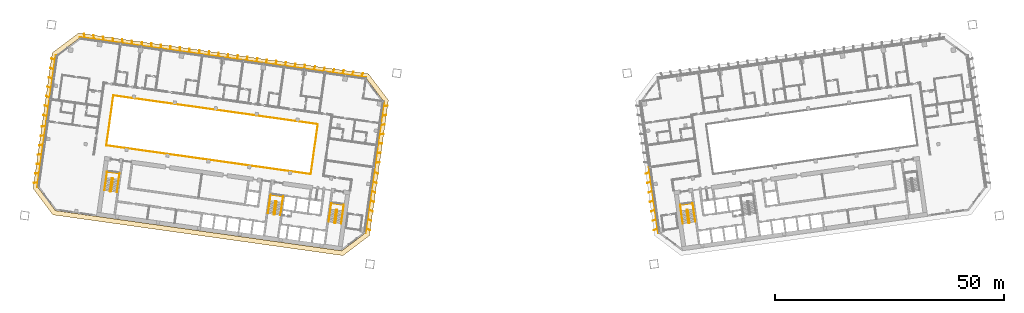
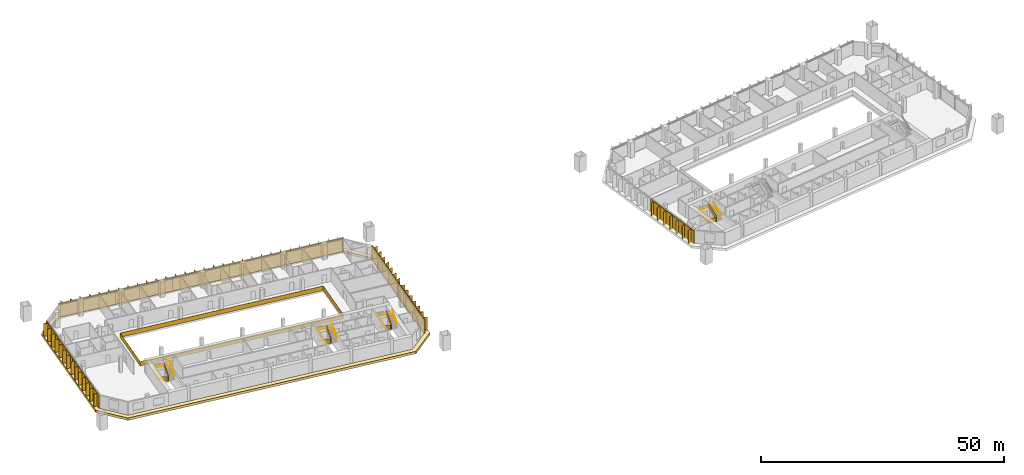
# One storey, part 23 of 24: 10 shading devices, 9 railings, 1 covering.
"""IFC4 building model written with IfcOpenShell, lengths in metres."""

from ifc_helpers import new_model, si_unit, direction, frame, origin, origin_2d, place, context, subcontext, project, spatial, polyline, rectangle, outline, extrude, material, layer, layer_set, type_object, element, save


model = new_model("IFC4")

# Units and contexts
model_context = context("Model", 3, precision=1e-05, world=origin(), true_north=direction((0.0, 1.0)))
body_context = subcontext(model_context, "Body", "Model", "MODEL_VIEW")
ifc_project = project(units=[si_unit("LENGTHUNIT", "METRE"), si_unit("AREAUNIT", "SQUARE_METRE"), si_unit("VOLUMEUNIT", "CUBIC_METRE"), si_unit("PLANEANGLEUNIT", "RADIAN"), si_unit("MASSUNIT", "GRAM", prefix="KILO")], contexts=[model_context])

# Site, building, storey
site_placement = place(None, origin())
site = spatial("IfcSite", under=ifc_project, at=site_placement, CompositionType="ELEMENT")
building_placement = place(site_placement, origin())
building = spatial("IfcBuilding", under=site, at=building_placement, Name="Mirante Cascada Hotel Towers", CompositionType="ELEMENT")
storey_placement = place(building_placement, frame((0.0, 0.0, 85.1)))
storey = spatial("IfcBuildingStorey", under=building, at=storey_placement, Name="L18", CompositionType="ELEMENT", Elevation=85.1)

# Railing
ifc_material_1 = material(Name="Toughened glass with stainless steel handrail", Category="steel")
railing_type_1 = type_object("IfcRailingType", Name="Atrium guard 1100 glass balustrade", PredefinedType="GUARDRAIL", material=ifc_material_1)
railing_1_placement = place(storey_placement, frame((-43.8418, -3.4881, 0.0)))
element("IfcRailing", 1, at=railing_1_placement, inside=storey, type_object=railing_type_1, Name="GUARD 1-L18-1", PredefinedType="GUARDRAIL", context=body_context, shape_type="SweptSolid", body=[
    extrude(rectangle(XDim=0.048, YDim=0.048, at=origin_2d()), frame((0.0, 0.0, 1.076), z_axis=(-0.9902681, 0.1391732, 0.0), x_axis=(-0.1391732, -0.9902681, 0.0)), (0.0, 0.0, 1.0), 45.0),
    extrude(rectangle(XDim=0.02, YDim=1.052, at=origin_2d()), frame((0.0, 0.0, 0.526), z_axis=(-0.9902681, 0.1391732, 0.0), x_axis=(-0.1391732, -0.9902681, 0.0)), (0.0, 0.0, 1.0), 45.0),
    extrude(rectangle(XDim=0.048, YDim=0.048, at=origin_2d()), frame((-44.5621, 6.2628, 1.076), z_axis=(0.1391721, 0.9902682, 0.0), x_axis=(-0.9902682, 0.1391721, 0.0)), (0.0, 0.0, 1.0), 11.0001),
    extrude(rectangle(XDim=0.02, YDim=1.052, at=origin_2d()), frame((-44.5621, 6.2628, 0.526), z_axis=(0.1391721, 0.9902682, 0.0), x_axis=(-0.9902682, 0.1391721, 0.0)), (0.0, 0.0, 1.0), 11.0001),
    extrude(rectangle(XDim=0.048, YDim=0.048, at=origin_2d()), frame((-43.0312, 17.1558, 1.076), z_axis=(0.9902681, -0.1391732, 0.0), x_axis=(0.1391732, 0.9902681, 0.0)), (0.0, 0.0, 1.0), 45.0),
    extrude(rectangle(XDim=0.02, YDim=1.052, at=origin_2d()), frame((-43.0312, 17.1558, 0.526), z_axis=(0.9902681, -0.1391732, 0.0), x_axis=(0.1391732, 0.9902681, 0.0)), (0.0, 0.0, 1.0), 45.0),
    extrude(rectangle(XDim=0.048, YDim=0.048, at=origin_2d()), frame((1.5309, 10.893, 1.076), z_axis=(-0.1391721, -0.9902682, 0.0), x_axis=(0.9902682, -0.1391721, 0.0)), (0.0, 0.0, 1.0), 11.0001),
    extrude(rectangle(XDim=0.02, YDim=1.052, at=origin_2d()), frame((1.5309, 10.893, 0.526), z_axis=(-0.1391721, -0.9902682, 0.0), x_axis=(0.9902682, -0.1391721, 0.0)), (0.0, 0.0, 1.0), 11.0001),
])

# Covering
ifc_material_2 = material(Name="Precast concrete C40/50 white", Category="concrete")
ifc_layer = layer(ifc_material_2, 0.6)
ifc_layer_set = layer_set([ifc_layer], Name="Precast concrete SUNSHADE band 1000x600")
covering_type = type_object("IfcCoveringType", Name="Precast concrete SUNSHADE band 1000x600", PredefinedType="CLADDING", material=ifc_layer_set)
covering_placement = place(storey_placement, frame((0.0, 0.0, -0.45)))
element("IfcCovering", 2, at=covering_placement, inside=storey, type_object=covering_type, Name="Precast concrete SUNSHADE band T1 L18", PredefinedType="CLADDING", context=body_context, shape_type="SweptSolid", body=[
    extrude(outline(polyline([(-104.3652, -6.6094), (-100.2139, 22.9287), (-94.4698, 27.2572), (-31.2626, 18.374), (-26.9341, 12.6299), (-31.0854, -16.9082), (-36.8295, -21.2367), (-100.0367, -12.3535), (-104.3652, -6.6094)]), holes=[polyline([(-27.982, 12.3589), (-31.8119, 17.4414), (-94.1988, 26.2093), (-99.2813, 22.3794), (-103.3173, -6.3384), (-99.4874, -11.4209), (-37.1005, -20.1888), (-32.018, -16.3589), (-27.982, 12.3589)])]), origin(), (0.0, 0.0, 1.0), 0.6),
])

# Railings
ifc_material_3 = material(Name="Painted steel", Category="steel")
railing_type_2 = type_object("IfcRailingType", Name="Stair guard 1100 steel balustrade", PredefinedType="GUARDRAIL", material=ifc_material_3)
railing_2_placement = place(storey_placement, frame((-38.1178, -11.2603, 0.0)))
element("IfcRailing", 3, at=railing_2_placement, inside=storey, type_object=railing_type_2, Name="L18 ST1-A stair guard 1", PredefinedType="GUARDRAIL", context=body_context, shape_type="SweptSolid", body=[
    extrude(rectangle(XDim=0.048, YDim=0.048, at=origin_2d()), frame((0.0, 0.0, 1.076), z_axis=(-0.9903326, 0.1387133, 0.0), x_axis=(-0.1387133, -0.9903326, 0.0)), (0.0, 0.0, 1.0), 0.1499),
    extrude(rectangle(XDim=0.02, YDim=1.052, at=origin_2d()), frame((0.0, 0.0, 0.526), z_axis=(-0.9903326, 0.1387133, 0.0), x_axis=(-0.1387133, -0.9903326, 0.0)), (0.0, 0.0, 1.0), 0.1499),
    extrude(rectangle(XDim=0.048, YDim=0.048, at=origin_2d()), frame((-0.1485, 0.0208, 1.076), z_axis=(-0.7991505, -0.6011309, 0.0), x_axis=(0.6011309, -0.7991505, 0.0)), (0.0, 0.9254529, 0.3788627), 0.1866),
    extrude(rectangle(XDim=0.02, YDim=1.052, at=origin_2d()), frame((-0.1485, 0.0208, 0.526), z_axis=(-0.7991505, -0.6011309, 0.0), x_axis=(0.6011309, -0.7991505, 0.0)), (0.0, 0.9254529, 0.3788627), 0.1866),
    extrude(rectangle(XDim=0.048, YDim=0.048, at=origin_2d()), frame((-0.205, -0.0217, 1.2487), z_axis=(-0.139176, -0.9902677, 0.0), x_axis=(0.9902677, -0.139176, 0.0)), (0.0, 0.5250212, 0.8510891), 3.29),
    extrude(rectangle(XDim=0.02, YDim=1.052, at=origin_2d()), frame((-0.205, -0.0217, 0.6987), z_axis=(-0.139176, -0.9902677, 0.0), x_axis=(0.9902677, -0.139176, 0.0)), (0.0, 0.5250212, 0.8510891), 3.29),
    extrude(rectangle(XDim=0.048, YDim=0.048, at=origin_2d()), frame((-0.5947, -2.7945, 2.976), z_axis=(0.9270311, -0.3749843, 0.0), x_axis=(0.3749843, 0.9270311, 0.0)), (0.0, 0.0, 1.0), 0.2061),
    extrude(rectangle(XDim=0.02, YDim=1.052, at=origin_2d()), frame((-0.5947, -2.7945, 2.426), z_axis=(0.9270311, -0.3749843, 0.0), x_axis=(0.3749843, 0.9270311, 0.0)), (0.0, 0.0, 1.0), 0.2061),
    extrude(rectangle(XDim=0.048, YDim=0.048, at=origin_2d()), frame((-0.4036, -2.8718, 2.976), z_axis=(-0.9902408, 0.1393672, 0.0), x_axis=(-0.1393672, -0.9902408, 0.0)), (0.0, 0.0, 1.0), 0.15),
    extrude(rectangle(XDim=0.02, YDim=1.052, at=origin_2d()), frame((-0.4036, -2.8718, 2.426), z_axis=(-0.9902408, 0.1393672, 0.0), x_axis=(-0.1393672, -0.9902408, 0.0)), (0.0, 0.0, 1.0), 0.15),
    extrude(rectangle(XDim=0.048, YDim=0.048, at=origin_2d()), frame((-0.5521, -2.8509, 2.976), z_axis=(0.9944948, 0.1047858, 0.0), x_axis=(-0.1047858, 0.9944948, 0.0)), (0.0, 0.6422034, 0.7665343), 0.2689),
    extrude(rectangle(XDim=0.02, YDim=1.052, at=origin_2d()), frame((-0.5521, -2.8509, 2.426), z_axis=(0.9944948, 0.1047858, 0.0), x_axis=(-0.1047858, 0.9944948, 0.0)), (0.0, 0.6422034, 0.7665343), 0.2689),
    extrude(rectangle(XDim=0.048, YDim=0.048, at=origin_2d()), frame((-0.3471, -2.8293, 3.1487), z_axis=(0.139176, 0.9902677, 0.0), x_axis=(-0.9902677, 0.139176, 0.0)), (0.0, 0.5250212, 0.8510891), 3.29),
    extrude(rectangle(XDim=0.02, YDim=1.052, at=origin_2d()), frame((-0.3471, -2.8293, 2.5987), z_axis=(0.139176, 0.9902677, 0.0), x_axis=(-0.9902677, 0.139176, 0.0)), (0.0, 0.5250212, 0.8510891), 3.29),
])
railing_3_placement = place(storey_placement, frame((-51.3379, -9.4024, 0.0)))
element("IfcRailing", 4, at=railing_3_placement, inside=storey, type_object=railing_type_2, Name="L18 ST1-B stair guard 1", PredefinedType="GUARDRAIL", context=body_context, shape_type="SweptSolid", body=[
    extrude(rectangle(XDim=0.048, YDim=0.048, at=origin_2d()), frame((0.0, 0.0, 1.076), z_axis=(-0.9902408, 0.1393672, 0.0), x_axis=(-0.1393672, -0.9902408, 0.0)), (0.0, 0.0, 1.0), 0.15),
    extrude(rectangle(XDim=0.02, YDim=1.052, at=origin_2d()), frame((0.0, 0.0, 0.526), z_axis=(-0.9902408, 0.1393672, 0.0), x_axis=(-0.1393672, -0.9902408, 0.0)), (0.0, 0.0, 1.0), 0.15),
    extrude(rectangle(XDim=0.048, YDim=0.048, at=origin_2d()), frame((-0.1485, 0.0209, 1.076), z_axis=(-0.7984711, -0.6020331, 0.0), x_axis=(0.6020331, -0.7984711, 0.0)), (0.0, 0.9253398, 0.3791387), 0.1866),
    extrude(rectangle(XDim=0.02, YDim=1.052, at=origin_2d()), frame((-0.1485, 0.0209, 0.526), z_axis=(-0.7984711, -0.6020331, 0.0), x_axis=(0.6020331, -0.7984711, 0.0)), (0.0, 0.9253398, 0.3791387), 0.1866),
    extrude(rectangle(XDim=0.048, YDim=0.048, at=origin_2d()), frame((-0.205, -0.0217, 1.2487), z_axis=(-0.139181, -0.990267, 0.0), x_axis=(0.990267, -0.139181, 0.0)), (0.0, 0.5250347, 0.8510808), 3.2899),
    extrude(rectangle(XDim=0.02, YDim=1.052, at=origin_2d()), frame((-0.205, -0.0217, 0.6987), z_axis=(-0.139181, -0.990267, 0.0), x_axis=(0.990267, -0.139181, 0.0)), (0.0, 0.5250347, 0.8510808), 3.2899),
    extrude(rectangle(XDim=0.048, YDim=0.048, at=origin_2d()), frame((-0.5947, -2.7944, 2.976), z_axis=(0.9268624, -0.3754011, 0.0), x_axis=(0.3754011, 0.9268624, 0.0)), (0.0, 0.0, 1.0), 0.2062),
    extrude(rectangle(XDim=0.02, YDim=1.052, at=origin_2d()), frame((-0.5947, -2.7944, 2.426), z_axis=(0.9268624, -0.3754011, 0.0), x_axis=(0.3754011, 0.9268624, 0.0)), (0.0, 0.0, 1.0), 0.2062),
    extrude(rectangle(XDim=0.048, YDim=0.048, at=origin_2d()), frame((-0.4036, -2.8718, 2.976), z_axis=(-0.9902408, 0.1393672, 0.0), x_axis=(-0.1393672, -0.9902408, 0.0)), (0.0, 0.0, 1.0), 0.15),
    extrude(rectangle(XDim=0.02, YDim=1.052, at=origin_2d()), frame((-0.4036, -2.8718, 2.426), z_axis=(-0.9902408, 0.1393672, 0.0), x_axis=(-0.1393672, -0.9902408, 0.0)), (0.0, 0.0, 1.0), 0.15),
    extrude(rectangle(XDim=0.048, YDim=0.048, at=origin_2d()), frame((-0.5521, -2.8509, 2.976), z_axis=(0.9944441, 0.1052656, 0.0), x_axis=(-0.1052656, 0.9944441, 0.0)), (0.0, 0.6421842, 0.7665504), 0.2689),
    extrude(rectangle(XDim=0.02, YDim=1.052, at=origin_2d()), frame((-0.5521, -2.8509, 2.426), z_axis=(0.9944441, 0.1052656, 0.0), x_axis=(-0.1052656, 0.9944441, 0.0)), (0.0, 0.6421842, 0.7665504), 0.2689),
    extrude(rectangle(XDim=0.048, YDim=0.048, at=origin_2d()), frame((-0.3471, -2.8292, 3.1487), z_axis=(0.139181, 0.990267, 0.0), x_axis=(-0.990267, 0.139181, 0.0)), (0.0, 0.5250347, 0.8510808), 3.2899),
    extrude(rectangle(XDim=0.02, YDim=1.052, at=origin_2d()), frame((-0.3471, -2.8292, 2.5987), z_axis=(0.139181, 0.990267, 0.0), x_axis=(-0.990267, 0.139181, 0.0)), (0.0, 0.5250347, 0.8510808), 3.2899),
])
railing_4_placement = place(storey_placement, frame((-86.9875, -4.3922, 0.0)))
element("IfcRailing", 5, at=railing_4_placement, inside=storey, type_object=railing_type_2, Name="L18 ST1-C stair guard 1", PredefinedType="GUARDRAIL", context=body_context, shape_type="SweptSolid", body=[
    extrude(rectangle(XDim=0.048, YDim=0.048, at=origin_2d()), frame((0.0, 0.0, 1.076), z_axis=(-0.9902537, 0.1392753, 0.0), x_axis=(-0.1392753, -0.9902537, 0.0)), (0.0, 0.0, 1.0), 0.1501),
    extrude(rectangle(XDim=0.02, YDim=1.052, at=origin_2d()), frame((0.0, 0.0, 0.526), z_axis=(-0.9902537, 0.1392753, 0.0), x_axis=(-0.1392753, -0.9902537, 0.0)), (0.0, 0.0, 1.0), 0.1501),
    extrude(rectangle(XDim=0.048, YDim=0.048, at=origin_2d()), frame((-0.1486, 0.0209, 1.076), z_axis=(-0.7986386, -0.601811, 0.0), x_axis=(0.601811, -0.7986386, 0.0)), (0.0, 0.925603, 0.3784959), 0.1866),
    extrude(rectangle(XDim=0.02, YDim=1.052, at=origin_2d()), frame((-0.1486, 0.0209, 0.526), z_axis=(-0.7986386, -0.601811, 0.0), x_axis=(0.601811, -0.7986386, 0.0)), (0.0, 0.925603, 0.3784959), 0.1866),
    extrude(rectangle(XDim=0.048, YDim=0.048, at=origin_2d()), frame((-0.205, -0.0216, 1.2487), z_axis=(-0.139176, -0.9902677, 0.0), x_axis=(0.9902677, -0.139176, 0.0)), (0.0, 0.5250212, 0.8510891), 3.29),
    extrude(rectangle(XDim=0.02, YDim=1.052, at=origin_2d()), frame((-0.205, -0.0216, 0.6987), z_axis=(-0.139176, -0.9902677, 0.0), x_axis=(0.9902677, -0.139176, 0.0)), (0.0, 0.5250212, 0.8510891), 3.29),
    extrude(rectangle(XDim=0.048, YDim=0.048, at=origin_2d()), frame((-0.5947, -2.7944, 2.976), z_axis=(0.9270311, -0.3749843, 0.0), x_axis=(0.3749843, 0.9270311, 0.0)), (0.0, 0.0, 1.0), 0.2061),
    extrude(rectangle(XDim=0.02, YDim=1.052, at=origin_2d()), frame((-0.5947, -2.7944, 2.426), z_axis=(0.9270311, -0.3749843, 0.0), x_axis=(0.3749843, 0.9270311, 0.0)), (0.0, 0.0, 1.0), 0.2061),
    extrude(rectangle(XDim=0.048, YDim=0.048, at=origin_2d()), frame((-0.4036, -2.8717, 2.976), z_axis=(-0.9903454, 0.1386217, 0.0), x_axis=(-0.1386217, -0.9903454, 0.0)), (0.0, 0.0, 1.0), 0.15),
    extrude(rectangle(XDim=0.02, YDim=1.052, at=origin_2d()), frame((-0.4036, -2.8717, 2.426), z_axis=(-0.9903454, 0.1386217, 0.0), x_axis=(-0.1386217, -0.9903454, 0.0)), (0.0, 0.0, 1.0), 0.15),
    extrude(rectangle(XDim=0.048, YDim=0.048, at=origin_2d()), frame((-0.5522, -2.8509, 2.976), z_axis=(0.9944441, 0.1052656, 0.0), x_axis=(-0.1052656, 0.9944441, 0.0)), (0.0, 0.6421842, 0.7665504), 0.2689),
    extrude(rectangle(XDim=0.02, YDim=1.052, at=origin_2d()), frame((-0.5522, -2.8509, 2.426), z_axis=(0.9944441, 0.1052656, 0.0), x_axis=(-0.1052656, 0.9944441, 0.0)), (0.0, 0.6421842, 0.7665504), 0.2689),
    extrude(rectangle(XDim=0.048, YDim=0.048, at=origin_2d()), frame((-0.3472, -2.8292, 3.1487), z_axis=(0.139176, 0.9902677, 0.0), x_axis=(-0.9902677, 0.139176, 0.0)), (0.0, 0.5250212, 0.8510891), 3.29),
    extrude(rectangle(XDim=0.02, YDim=1.052, at=origin_2d()), frame((-0.3472, -2.8292, 2.5987), z_axis=(0.139176, 0.9902677, 0.0), x_axis=(-0.9902677, 0.139176, 0.0)), (0.0, 0.5250212, 0.8510891), 3.29),
])
railing_5_placement = place(storey_placement, frame((38.2663, -11.2395, 0.0)))
element("IfcRailing", 6, at=railing_5_placement, inside=storey, type_object=railing_type_2, Name="L18 ST2-A stair guard 1", PredefinedType="GUARDRAIL", context=body_context, shape_type="SweptSolid", body=[
    extrude(rectangle(XDim=0.048, YDim=0.048, at=origin_2d()), frame((0.0, 0.0, 1.076), z_axis=(-0.9903326, -0.1387133, 0.0), x_axis=(0.1387133, -0.9903326, 0.0)), (0.0, 0.0, 1.0), 0.1499),
    extrude(rectangle(XDim=0.02, YDim=1.052, at=origin_2d()), frame((0.0, 0.0, 0.526), z_axis=(-0.9903326, -0.1387133, 0.0), x_axis=(0.1387133, -0.9903326, 0.0)), (0.0, 0.0, 1.0), 0.1499),
    extrude(rectangle(XDim=0.048, YDim=0.048, at=origin_2d()), frame((-0.1485, -0.0208, 1.076), z_axis=(-0.6020331, -0.7984711, 0.0), x_axis=(0.7984711, -0.6020331, 0.0)), (0.0, 0.9253398, 0.3791387), 0.1866),
    extrude(rectangle(XDim=0.02, YDim=1.052, at=origin_2d()), frame((-0.1485, -0.0208, 0.526), z_axis=(-0.6020331, -0.7984711, 0.0), x_axis=(0.7984711, -0.6020331, 0.0)), (0.0, 0.9253398, 0.3791387), 0.1866),
    extrude(rectangle(XDim=0.048, YDim=0.048, at=origin_2d()), frame((-0.1911, -0.0773, 1.2487), z_axis=(0.139176, -0.9902677, 0.0), x_axis=(0.9902677, 0.139176, 0.0)), (0.0, 0.5250212, 0.8510891), 3.29),
    extrude(rectangle(XDim=0.02, YDim=1.052, at=origin_2d()), frame((-0.1911, -0.0773, 0.6987), z_axis=(0.139176, -0.9902677, 0.0), x_axis=(0.9902677, 0.139176, 0.0)), (0.0, 0.5250212, 0.8510891), 3.29),
    extrude(rectangle(XDim=0.048, YDim=0.048, at=origin_2d()), frame((0.1986, -2.8501, 2.976), z_axis=(0.9944948, -0.1047858, 0.0), x_axis=(0.1047858, 0.9944948, 0.0)), (0.0, 0.0, 1.0), 0.2061),
    extrude(rectangle(XDim=0.02, YDim=1.052, at=origin_2d()), frame((0.1986, -2.8501, 2.426), z_axis=(0.9944948, -0.1047858, 0.0), x_axis=(0.1047858, 0.9944948, 0.0)), (0.0, 0.0, 1.0), 0.2061),
    extrude(rectangle(XDim=0.048, YDim=0.048, at=origin_2d()), frame((0.4036, -2.8717, 2.976), z_axis=(-0.9902408, -0.1393672, 0.0), x_axis=(0.1393672, -0.9902408, 0.0)), (0.0, 0.0, 1.0), 0.15),
    extrude(rectangle(XDim=0.02, YDim=1.052, at=origin_2d()), frame((0.4036, -2.8717, 2.426), z_axis=(-0.9902408, -0.1393672, 0.0), x_axis=(0.1393672, -0.9902408, 0.0)), (0.0, 0.0, 1.0), 0.15),
    extrude(rectangle(XDim=0.048, YDim=0.048, at=origin_2d()), frame((0.2551, -2.8926, 2.976), z_axis=(0.9270311, 0.3749843, 0.0), x_axis=(-0.3749843, 0.9270311, 0.0)), (0.0, 0.6421903, 0.7665452), 0.2689),
    extrude(rectangle(XDim=0.02, YDim=1.052, at=origin_2d()), frame((0.2551, -2.8926, 2.426), z_axis=(0.9270311, 0.3749843, 0.0), x_axis=(-0.3749843, 0.9270311, 0.0)), (0.0, 0.6421903, 0.7665452), 0.2689),
    extrude(rectangle(XDim=0.048, YDim=0.048, at=origin_2d()), frame((0.4462, -2.8153, 3.1487), z_axis=(-0.139176, 0.9902677, 0.0), x_axis=(-0.9902677, -0.139176, 0.0)), (0.0, 0.5250212, 0.8510891), 3.29),
    extrude(rectangle(XDim=0.02, YDim=1.052, at=origin_2d()), frame((0.4462, -2.8153, 2.5987), z_axis=(-0.139176, 0.9902677, 0.0), x_axis=(-0.9902677, -0.139176, 0.0)), (0.0, 0.5250212, 0.8510891), 3.29),
])
ifc_material_4 = material(Name="Painted steel", Category="steel")
railing_type_3 = type_object("IfcRailingType", Name="Stair handrail 900 steel tube", PredefinedType="HANDRAIL", material=ifc_material_4)
railing_6_placement = place(storey_placement, frame((-39.5606, -11.1081, 0.1727)))
element("IfcRailing", 7, at=railing_6_placement, inside=storey, type_object=railing_type_3, Name="L18 ST1-A stair handrail 1", PredefinedType="HANDRAIL", context=body_context, shape_type="SweptSolid", body=[
    extrude(rectangle(XDim=0.048, YDim=0.048, at=origin_2d()), frame((0.0, 0.0, 0.876), z_axis=(-0.139181, -0.990267, 0.0), x_axis=(0.990267, -0.139181, 0.0)), (0.0, 0.5250347, 0.8510808), 3.2899),
    extrude(rectangle(XDim=0.048, YDim=0.048, at=origin_2d()), frame((-0.3897, -2.7727, 2.6033), z_axis=(0.1391707, 0.9902684, 0.0), x_axis=(-0.9902684, 0.1391707, 0.0)), (0.0, 0.0420846, 0.999114), 4.1036),
    extrude(rectangle(XDim=0.048, YDim=0.048, at=origin_2d()), frame((0.1809, 1.2874, 2.776), z_axis=(0.9902691, -0.1391657, 0.0), x_axis=(0.1391657, 0.9902691, 0.0)), (0.0, 0.0, 1.0), 2.75),
    extrude(rectangle(XDim=0.048, YDim=0.048, at=origin_2d()), frame((2.9041, 0.9047, 2.776), z_axis=(-0.1391707, -0.9902684, 0.0), x_axis=(0.9902684, -0.1391707, 0.0)), (0.0, 0.0, 1.0), 4.1),
    extrude(rectangle(XDim=0.048, YDim=0.048, at=origin_2d()), frame((2.3335, -3.1554, 2.776), z_axis=(0.139181, 0.990267, 0.0), x_axis=(-0.990267, 0.139181, 0.0)), (0.0, 0.5250347, 0.8510808), 3.2899),
])
railing_7_placement = place(storey_placement, frame((-52.7807, -9.2501, 0.1727)))
element("IfcRailing", 8, at=railing_7_placement, inside=storey, type_object=railing_type_3, Name="L18 ST1-B stair handrail 1", PredefinedType="HANDRAIL", context=body_context, shape_type="SweptSolid", body=[
    extrude(rectangle(XDim=0.048, YDim=0.048, at=origin_2d()), frame((0.0, 0.0, 0.876), z_axis=(-0.139181, -0.990267, 0.0), x_axis=(0.990267, -0.139181, 0.0)), (0.0, 0.5250347, 0.8510808), 3.2899),
    extrude(rectangle(XDim=0.048, YDim=0.048, at=origin_2d()), frame((-0.3897, -2.7727, 2.6033), z_axis=(0.1391707, 0.9902684, 0.0), x_axis=(-0.9902684, 0.1391707, 0.0)), (0.0, 0.0420846, 0.999114), 4.1036),
    extrude(rectangle(XDim=0.048, YDim=0.048, at=origin_2d()), frame((0.1809, 1.2874, 2.776), z_axis=(0.9902641, -0.1392013, 0.0), x_axis=(0.1392013, 0.9902641, 0.0)), (0.0, 0.0, 1.0), 2.75),
    extrude(rectangle(XDim=0.048, YDim=0.048, at=origin_2d()), frame((2.9041, 0.9046, 2.776), z_axis=(-0.1391707, -0.9902684, 0.0), x_axis=(0.9902684, -0.1391707, 0.0)), (0.0, 0.0, 1.0), 4.1),
    extrude(rectangle(XDim=0.048, YDim=0.048, at=origin_2d()), frame((2.3335, -3.1555, 2.776), z_axis=(0.139176, 0.9902677, 0.0), x_axis=(-0.9902677, 0.139176, 0.0)), (0.0, 0.5250212, 0.8510891), 3.29),
])
railing_8_placement = place(storey_placement, frame((-88.4304, -4.2399, 0.1727)))
element("IfcRailing", 9, at=railing_8_placement, inside=storey, type_object=railing_type_3, Name="L18 ST1-C stair handrail 1", PredefinedType="HANDRAIL", context=body_context, shape_type="SweptSolid", body=[
    extrude(rectangle(XDim=0.048, YDim=0.048, at=origin_2d()), frame((0.0, 0.0, 0.876), z_axis=(-0.139181, -0.990267, 0.0), x_axis=(0.990267, -0.139181, 0.0)), (0.0, 0.5250347, 0.8510808), 3.2899),
    extrude(rectangle(XDim=0.048, YDim=0.048, at=origin_2d()), frame((-0.3897, -2.7727, 2.6033), z_axis=(0.1391947, 0.990265, 0.0), x_axis=(-0.990265, 0.1391947, 0.0)), (0.0, 0.0420845, 0.9991141), 4.1036),
    extrude(rectangle(XDim=0.048, YDim=0.048, at=origin_2d()), frame((0.181, 1.2874, 2.776), z_axis=(0.9902691, -0.1391657, 0.0), x_axis=(0.1391657, 0.9902691, 0.0)), (0.0, 0.0, 1.0), 2.75),
    extrude(rectangle(XDim=0.048, YDim=0.048, at=origin_2d()), frame((2.9042, 0.9047, 2.776), z_axis=(-0.1391707, -0.9902684, 0.0), x_axis=(0.9902684, -0.1391707, 0.0)), (0.0, 0.0, 1.0), 4.1),
    extrude(rectangle(XDim=0.048, YDim=0.048, at=origin_2d()), frame((2.3336, -3.1554, 2.776), z_axis=(0.139181, 0.990267, 0.0), x_axis=(-0.990267, 0.139181, 0.0)), (0.0, 0.5250347, 0.8510808), 3.2899),
])
railing_9_placement = place(storey_placement, frame((36.8374, -11.4908, 0.1727)))
element("IfcRailing", 10, at=railing_9_placement, inside=storey, type_object=railing_type_3, Name="L18 ST2-A stair handrail 1", PredefinedType="HANDRAIL", context=body_context, shape_type="SweptSolid", body=[
    extrude(rectangle(XDim=0.048, YDim=0.048, at=origin_2d()), frame((0.0, 0.0, 0.876), z_axis=(0.139181, -0.990267, 0.0), x_axis=(0.990267, 0.139181, 0.0)), (0.0, 0.5250347, 0.8510808), 3.2899),
    extrude(rectangle(XDim=0.048, YDim=0.048, at=origin_2d()), frame((0.3897, -2.7727, 2.6033), z_axis=(-0.1391707, 0.9902684, 0.0), x_axis=(-0.9902684, -0.1391707, 0.0)), (0.0, 0.0420846, 0.999114), 4.1036),
    extrude(rectangle(XDim=0.048, YDim=0.048, at=origin_2d()), frame((-0.1809, 1.2874, 2.776), z_axis=(0.9902691, 0.1391657, 0.0), x_axis=(-0.1391657, 0.9902691, 0.0)), (0.0, 0.0, 1.0), 2.75),
    extrude(rectangle(XDim=0.048, YDim=0.048, at=origin_2d()), frame((2.5423, 1.6701, 2.776), z_axis=(0.1391707, -0.9902684, 0.0), x_axis=(0.9902684, 0.1391707, 0.0)), (0.0, 0.0, 1.0), 4.1),
    extrude(rectangle(XDim=0.048, YDim=0.048, at=origin_2d()), frame((3.1129, -2.39, 2.776), z_axis=(-0.139181, 0.990267, 0.0), x_axis=(-0.990267, -0.139181, 0.0)), (0.0, 0.5250347, 0.8510808), 3.2899),
])

# Shading devices
ifc_material_5 = material(Name="White precast concrete C50/60 fin", Category="concrete")
shading_device_type = type_object("IfcShadingDeviceType", Name="Vertical fin set 4500x900", PredefinedType="USERDEFINED", material=ifc_material_5)
shading_device_1_placement = place(storey_placement, origin())
element("IfcShadingDevice", 11, at=shading_device_1_placement, inside=storey, type_object=shading_device_type, Name="FIN T1 L18 front 1", ObjectType="FIN", PredefinedType="USERDEFINED", context=body_context, shape_type="SweptSolid", body=[
    extrude(outline(polyline([(-82.8173, 25.599), (-82.7126, 24.7465), (-81.7006, 24.6042), (-81.7214, 24.4557), (-94.1988, 26.2093), (-94.1779, 26.3578), (-93.1924, 26.2193), (-93.2945, 27.0506), (-93.2151, 27.0603), (-93.1104, 26.2078), (-91.1129, 25.9271), (-91.2149, 26.7583), (-91.1355, 26.7681), (-91.0308, 25.9155), (-89.0333, 25.6348), (-89.1354, 26.4661), (-89.056, 26.4758), (-88.9513, 25.6233), (-86.9537, 25.3425), (-87.0558, 26.1738), (-86.9764, 26.1835), (-86.8717, 25.331), (-84.8742, 25.0503), (-84.9762, 25.8815), (-84.8968, 25.8913), (-84.7922, 25.0387), (-82.7946, 24.758), (-82.8967, 25.5893), (-82.8173, 25.599)])), origin(), (0.0, 0.0, 1.0), 3.35),
])
shading_device_2_placement = place(storey_placement, origin())
element("IfcShadingDevice", 12, at=shading_device_2_placement, inside=storey, type_object=shading_device_type, Name="FIN T1 L18 front 2", ObjectType="FIN", PredefinedType="USERDEFINED", context=body_context, shape_type="SweptSolid", body=[
    extrude(outline(polyline([(-70.2221, 23.8469), (-70.2295, 22.9921), (-69.2232, 22.8507), (-69.2441, 22.7021), (-81.7214, 24.4557), (-81.7006, 24.6042), (-80.7072, 24.4646), (-80.6999, 25.3089), (-80.6199, 25.3082), (-80.6273, 24.4534), (-78.6277, 24.1724), (-78.6203, 25.0166), (-78.5403, 25.0159), (-78.5478, 24.1611), (-76.5481, 23.8801), (-76.5407, 24.7244), (-76.4608, 24.7237), (-76.4682, 23.8689), (-74.4686, 23.5878), (-74.4612, 24.4321), (-74.3812, 24.4314), (-74.3886, 23.5766), (-72.389, 23.2956), (-72.3816, 24.1399), (-72.3016, 24.1392), (-72.3091, 23.2844), (-70.3094, 23.0033), (-70.3021, 23.8476), (-70.2221, 23.8469)])), origin(), (0.0, 0.0, 1.0), 3.35),
])
shading_device_3_placement = place(storey_placement, origin())
element("IfcShadingDevice", 13, at=shading_device_3_placement, inside=storey, type_object=shading_device_type, Name="FIN T1 L18 front 3", ObjectType="FIN", PredefinedType="USERDEFINED", context=body_context, shape_type="SweptSolid", body=[
    extrude(outline(polyline([(-57.6277, 22.0794), (-57.746, 21.2376), (-56.7458, 21.0971), (-56.7667, 20.9485), (-69.2441, 22.7021), (-69.2232, 22.8507), (-68.223, 22.7101), (-68.1047, 23.5518), (-68.0255, 23.5407), (-68.1438, 22.699), (-66.1434, 22.4178), (-66.0251, 23.2596), (-65.9459, 23.2484), (-66.0642, 22.4067), (-64.0639, 22.1256), (-63.9456, 22.9673), (-63.8664, 22.9562), (-63.9847, 22.1144), (-61.9843, 21.8333), (-61.866, 22.675), (-61.7868, 22.6639), (-61.9051, 21.8222), (-59.9048, 21.541), (-59.7865, 22.3828), (-59.7072, 22.3716), (-59.8255, 21.5299), (-57.8252, 21.2488), (-57.7069, 22.0905), (-57.6277, 22.0794)])), origin(), (0.0, 0.0, 1.0), 3.35),
])
shading_device_4_placement = place(storey_placement, origin())
element("IfcShadingDevice", 14, at=shading_device_4_placement, inside=storey, type_object=shading_device_type, Name="FIN T1 L18 front 4", ObjectType="FIN", PredefinedType="USERDEFINED", context=body_context, shape_type="SweptSolid", body=[
    extrude(outline(polyline([(-45.0361, 20.2967), (-45.2617, 19.4831), (-44.2684, 19.3435), (-44.2893, 19.195), (-56.7667, 20.9485), (-56.7458, 21.0971), (-55.7394, 20.9556), (-55.511, 21.7794), (-55.4339, 21.758), (-55.6595, 20.9444), (-53.6599, 20.6634), (-53.4314, 21.4871), (-53.3544, 21.4657), (-53.58, 20.6521), (-51.5803, 20.3711), (-51.3519, 21.1949), (-51.2748, 21.1735), (-51.5004, 20.3599), (-49.5008, 20.0789), (-49.2723, 20.9026), (-49.1952, 20.8812), (-49.4209, 20.0676), (-47.4212, 19.7866), (-47.1928, 20.6103), (-47.1157, 20.589), (-47.3413, 19.7754), (-45.3416, 19.4943), (-45.1132, 20.3181), (-45.0361, 20.2967)])), origin(), (0.0, 0.0, 1.0), 3.35),
])
shading_device_5_placement = place(storey_placement, origin())
element("IfcShadingDevice", 15, at=shading_device_5_placement, inside=storey, type_object=shading_device_type, Name="FIN T1 L18 front 5", ObjectType="FIN", PredefinedType="USERDEFINED", context=body_context, shape_type="SweptSolid", body=[
    extrude(outline(polyline([(-32.4493, 18.4994), (-32.7765, 17.7284), (-31.791, 17.5899), (-31.8119, 17.4414), (-44.2893, 19.195), (-44.2684, 19.3435), (-43.2564, 19.2013), (-42.9208, 19.9919), (-42.8471, 19.9607), (-43.1744, 19.1897), (-41.1768, 18.909), (-40.8412, 19.6997), (-40.7676, 19.6684), (-41.0948, 18.8975), (-39.0973, 18.6167), (-38.7616, 19.4074), (-38.688, 19.3761), (-39.0152, 18.6052), (-37.0177, 18.3245), (-36.6821, 19.1151), (-36.6084, 19.0839), (-36.9357, 18.3129), (-34.9381, 18.0322), (-34.6025, 18.8229), (-34.5289, 18.7916), (-34.8561, 18.0207), (-32.8586, 17.7399), (-32.5229, 18.5306), (-32.4493, 18.4994)])), origin(), (0.0, 0.0, 1.0), 3.35),
])
shading_device_6_placement = place(storey_placement, origin())
element("IfcShadingDevice", 16, at=shading_device_6_placement, inside=storey, type_object=shading_device_type, Name="FIN T1 L18 inner 1", ObjectType="FIN", PredefinedType="USERDEFINED", context=body_context, shape_type="SweptSolid", body=[
    extrude(outline(polyline([(-29.7112, -1.023), (-29.8515, -2.0209), (-30.0, -2.0), (-27.982, 12.3589), (-27.8334, 12.338), (-27.97, 11.3667), (-27.1387, 11.4687), (-27.1289, 11.3893), (-27.9815, 11.2846), (-28.2583, 9.3154), (-27.427, 9.4174), (-27.4172, 9.338), (-28.2698, 9.2334), (-28.5465, 7.2641), (-27.7153, 7.3662), (-27.7055, 7.2868), (-28.5581, 7.1821), (-28.8348, 5.2128), (-28.0036, 5.3149), (-27.9938, 5.2355), (-28.8464, 5.1308), (-29.1231, 3.1616), (-28.2918, 3.2636), (-28.2821, 3.1842), (-29.1346, 3.0796), (-29.4114, 1.1103), (-28.5801, 1.2124), (-28.5704, 1.133), (-29.4229, 1.0283), (-29.6997, -0.941), (-28.8684, -0.8389), (-28.8587, -0.9183), (-29.7112, -1.023)])), origin(), (0.0, 0.0, 1.0), 3.35),
])
shading_device_7_placement = place(storey_placement, origin())
element("IfcShadingDevice", 17, at=shading_device_7_placement, inside=storey, type_object=shading_device_type, Name="FIN T1 L18 inner 2", ObjectType="FIN", PredefinedType="USERDEFINED", context=body_context, shape_type="SweptSolid", body=[
    extrude(outline(polyline([(-31.733, -15.4084), (-31.8695, -16.3798), (-32.018, -16.3589), (-30.0, -2.0), (-29.8515, -2.0209), (-29.9917, -3.0188), (-29.201, -3.3544), (-29.2323, -3.428), (-30.0032, -3.1008), (-30.28, -5.07), (-29.4893, -5.4057), (-29.5206, -5.4793), (-30.2915, -5.1521), (-30.5683, -7.1213), (-29.7776, -7.4569), (-29.8089, -7.5306), (-30.5798, -7.2033), (-30.8566, -9.1726), (-30.0659, -9.5082), (-30.0972, -9.5818), (-30.8681, -9.2546), (-31.1449, -11.2238), (-30.3542, -11.5595), (-30.3854, -11.6331), (-31.1564, -11.3059), (-31.4331, -13.2751), (-30.6425, -13.6107), (-30.6737, -13.6844), (-31.4447, -13.3571), (-31.7214, -15.3264), (-30.9308, -15.662), (-30.962, -15.7356), (-31.733, -15.4084)])), origin(), (0.0, 0.0, 1.0), 3.35),
])
shading_device_8_placement = place(storey_placement, origin())
element("IfcShadingDevice", 18, at=shading_device_8_placement, inside=storey, type_object=shading_device_type, Name="FIN T1 L18 outer 1", ObjectType="FIN", PredefinedType="USERDEFINED", context=body_context, shape_type="SweptSolid", body=[
    extrude(outline(polyline([(-103.3178, -5.2642), (-103.041, -3.2949), (-103.8723, -3.397), (-103.8821, -3.3176), (-103.0295, -3.2129), (-102.7528, -1.2436), (-103.584, -1.3457), (-103.5938, -1.2663), (-102.7412, -1.1616), (-102.4645, 0.8076), (-103.2957, 0.7056), (-103.3055, 0.785), (-102.4529, 0.8896), (-102.1762, 2.8589), (-103.0075, 2.7568), (-103.0172, 2.8362), (-102.1647, 2.9409), (-101.8879, 4.9102), (-102.7192, 4.8081), (-102.7289, 4.8875), (-101.8764, 4.9922), (-101.5996, 6.9614), (-102.4309, 6.8594), (-102.4406, 6.9388), (-101.5881, 7.0434), (-101.4478, 8.0413), (-101.2993, 8.0205), (-103.3173, -6.3384), (-103.4659, -6.3175), (-103.3293, -5.3462), (-104.1606, -5.4483), (-104.1704, -5.3689), (-103.3178, -5.2642)])), origin(), (0.0, 0.0, 1.0), 3.35),
])
shading_device_9_placement = place(storey_placement, origin())
element("IfcShadingDevice", 19, at=shading_device_9_placement, inside=storey, type_object=shading_device_type, Name="FIN T1 L18 outer 2", ObjectType="FIN", PredefinedType="USERDEFINED", context=body_context, shape_type="SweptSolid", body=[
    extrude(outline(polyline([(-101.2961, 9.1212), (-101.0193, 11.0905), (-101.81, 11.4261), (-101.7787, 11.4998), (-101.0078, 11.1725), (-100.731, 13.1418), (-101.5217, 13.4774), (-101.4904, 13.551), (-100.7195, 13.2238), (-100.4427, 15.193), (-101.2334, 15.5287), (-101.2021, 15.6023), (-100.4312, 15.2751), (-100.1544, 17.2443), (-100.9451, 17.5799), (-100.9139, 17.6536), (-100.1429, 17.3263), (-99.8662, 19.2956), (-100.6568, 19.6312), (-100.6256, 19.7048), (-99.8546, 19.3776), (-99.5779, 21.3469), (-100.3685, 21.6825), (-100.3373, 21.7561), (-99.5663, 21.4289), (-99.4298, 22.4002), (-99.2813, 22.3794), (-101.2993, 8.0205), (-101.4478, 8.0413), (-101.3076, 9.0392), (-102.0983, 9.3749), (-102.067, 9.4485), (-101.2961, 9.1212)])), origin(), (0.0, 0.0, 1.0), 3.35),
])
shading_device_10_placement = place(storey_placement, origin())
element("IfcShadingDevice", 20, at=shading_device_10_placement, inside=storey, type_object=shading_device_type, Name="FIN T2 L18 inner 2", ObjectType="FIN", PredefinedType="USERDEFINED", context=body_context, shape_type="SweptSolid", body=[
    extrude(outline(polyline([(30.9308, -15.662), (31.7214, -15.3264), (31.4447, -13.3571), (30.6737, -13.6844), (30.6425, -13.6107), (31.4331, -13.2751), (31.1564, -11.3059), (30.3854, -11.6331), (30.3542, -11.5595), (31.1449, -11.2238), (30.8681, -9.2546), (30.0972, -9.5818), (30.0659, -9.5082), (30.8566, -9.1726), (30.5798, -7.2033), (29.8089, -7.5306), (29.7776, -7.4569), (30.5683, -7.1213), (30.2915, -5.1521), (29.5206, -5.4793), (29.4893, -5.4057), (30.28, -5.07), (30.0032, -3.1008), (29.2323, -3.428), (29.201, -3.3544), (29.9917, -3.0188), (29.8515, -2.0209), (30.0, -2.0), (32.018, -16.3589), (31.8695, -16.3798), (31.733, -15.4084), (30.962, -15.7356), (30.9308, -15.662)])), origin(), (0.0, 0.0, 1.0), 3.35),
])

save(model, "model.ifc")
